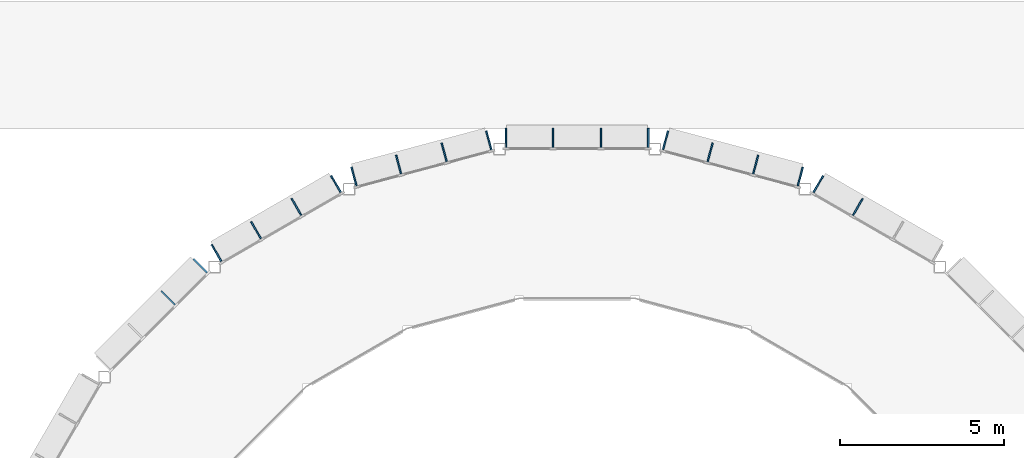
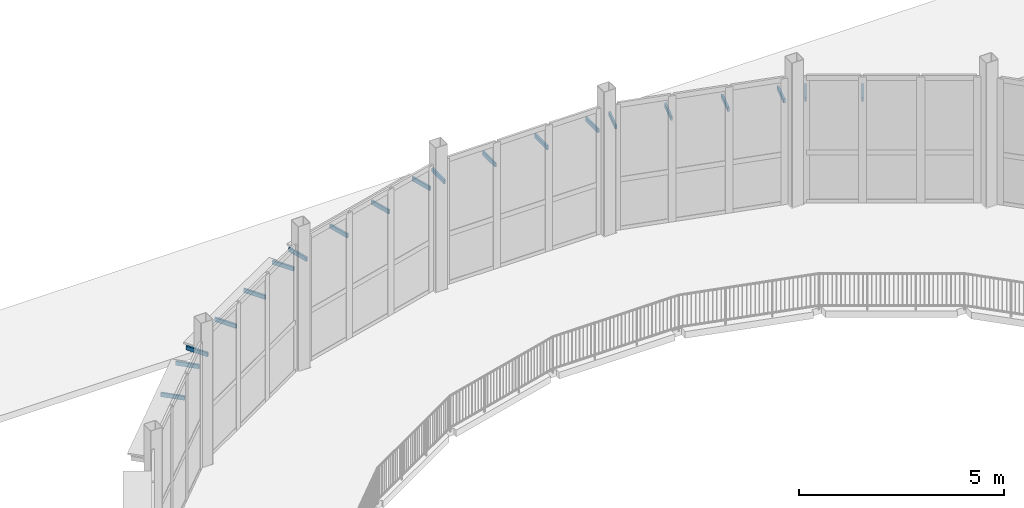
# One storey, part 52 of 74: 20 discrete accessories.
"""IFC4 building model written with IfcOpenShell, lengths in metres."""

from ifc_helpers import new_model, si_unit, direction, frame, origin, origin_2d, place, context, subcontext, project, spatial, rectangle, extrude, material, layer, layer_set, type_object, element, save


model = new_model("IFC4")

# Units and contexts
model_context = context("Model", 3, precision=1e-05, world=origin(), true_north=direction((0.0, 1.0)))
body_context = subcontext(model_context, "Body", "Model", "MODEL_VIEW")
ifc_project = project(units=[si_unit("LENGTHUNIT", "METRE"), si_unit("AREAUNIT", "SQUARE_METRE"), si_unit("VOLUMEUNIT", "CUBIC_METRE"), si_unit("PLANEANGLEUNIT", "RADIAN"), si_unit("MASSUNIT", "GRAM", prefix="KILO")], contexts=[model_context])

# Site, building, storey
site_placement = place(None, origin())
site = spatial("IfcSite", under=ifc_project, at=site_placement, CompositionType="ELEMENT")
building_placement = place(site_placement, origin())
building = spatial("IfcBuilding", under=site, at=building_placement, Name="Hortulan Conservatory and Botanical Research Centre", CompositionType="ELEMENT")
storey_placement = place(building_placement, frame((0.0, 0.0, 6.0)))
storey = spatial("IfcBuildingStorey", under=building, at=storey_placement, Name="L01", CompositionType="ELEMENT", Elevation=6.0)

# Discrete accessories
ifc_material = material(Name="Bronze-charcoal painted wrought iron", Category="metal")
ifc_layer = layer(ifc_material, 0.050048828125)
ifc_layer_set = layer_set([ifc_layer], Name="Blade Hanger Bracket 50x600x120")
discrete_accessory_type = type_object("IfcDiscreteAccessoryType", Name="Blade Hanger Bracket 50x600x120", PredefinedType="BRACKET", material=ifc_layer_set)
for number, where, z_axis, x_axis, name in (
    (1, (61.34619140625, 34.92431640625, 2.97998046875), (0.0, 0.0, 1.0), (0.86603587557, -0.499981861897, 0.0), "Blade hanger bracket"),
    (2, (62.550048828125, 34.229248046875, 2.97998046875), (0.0, 0.0, 1.0), (0.86603587557, -0.499981861897, 0.0), "Blade hanger bracket"),
    (3, (56.69140625, 36.255615234375, 2.97998046875), (0.0, 0.0, 1.0), (0.965922212399, -0.258832531946, 0.0), "Blade hanger bracket"),
    (4, (58.05029296875, 35.891357421875, 2.97998046875), (0.0, 0.0, 1.0), (0.965922212399, -0.258832531946, 0.0), "Blade hanger bracket"),
    (5, (59.4384765625, 35.519287109375, 2.97998046875), (0.0, 0.0, 1.0), (0.965922212399, -0.258832531946, 0.0), "Blade hanger bracket"),
    (6, (60.79736328125, 35.1552734375, 2.97998046875), (0.0, 0.0, 1.0), (0.965922212399, -0.258832531946, 0.0), "Blade hanger bracket"),
    (7, (51.8349609375, 36.330078125, 2.97998046875), (0.0, 0.0, 1.0), (1.0, 0.0, 0.0), "Blade hanger bracket"),
    (8, (53.268310546875, 36.330078125, 2.97998046875), (0.0, 0.0, 1.0), (1.0, 0.0, 0.0), "Blade hanger bracket"),
    (9, (54.731689453125, 36.330078125, 2.97998046875), (0.0, 0.0, 1.0), (1.0, 0.0, 0.0), "Blade hanger bracket"),
    (10, (56.1650390625, 36.330078125, 2.97998046875), (0.0, 0.0, 1.0), (1.0, 0.0, 0.0), "Blade hanger bracket"),
    (11, (47.20263671875, 35.1552734375, 2.97998046875), (0.0, 0.0, 1.0), (0.965922212399, 0.258832531946, 0.0), "Blade hanger bracket"),
    (12, (48.5615234375, 35.519287109375, 2.97998046875), (0.0, 0.0, 1.0), (0.965922212399, 0.258832531946, 0.0), "Blade hanger bracket"),
    (13, (49.94970703125, 35.891357421875, 2.97998046875), (0.0, 0.0, 1.0), (0.965922212399, 0.258832531946, 0.0), "Blade hanger bracket"),
    (14, (51.30859375, 36.255615234375, 2.97998046875), (0.0, 0.0, 1.0), (0.965922212399, 0.258832531946, 0.0), "Blade hanger bracket"),
    (15, (43.01611328125, 32.82421875, 2.97998046875), (0.0, 0.0, 1.0), (0.86603587557, 0.499981861897, 0.0), "Blade hanger bracket"),
    (16, (44.219970703125, 33.519287109375, 2.97998046875), (0.0, 0.0, 1.0), (0.86603587557, 0.499981861897, 0.0), "Blade hanger bracket"),
    (17, (45.449951171875, 34.229248046875, 2.97998046875), (0.0, 0.0, 1.0), (0.86603587557, 0.499981861897, 0.0), "Blade hanger bracket"),
    (18, (46.65380859375, 34.92431640625, 2.97998046875), (0.0, 0.0, 1.0), (0.86603587557, 0.499981861897, 0.0), "Blade hanger bracket"),
    (19, (41.5390625, 31.461669921875, 2.97998046875), (0.0, 0.0, 1.0), (0.707094439737, 0.70711912242, 0.0), "Blade hanger bracket"),
    (20, (42.5185546875, 32.441162109375, 2.97998046875), (0.0, 0.0, 1.0), (0.707094439737, 0.70711912242, 0.0), "Blade hanger bracket"),
):
    element("IfcDiscreteAccessory", number, at=place(storey_placement, frame(where, z_axis=z_axis, x_axis=x_axis)), inside=storey, type_object=discrete_accessory_type, Name=name, PredefinedType="BRACKET", context=body_context, shape_type="SweptSolid", body=[
        extrude(rectangle(XDim=0.050048828125, YDim=0.60009765625, at=origin_2d()), origin(), (0.0, 0.0, 1.0), 0.1201171875),
    ])

save(model, "model.ifc")
